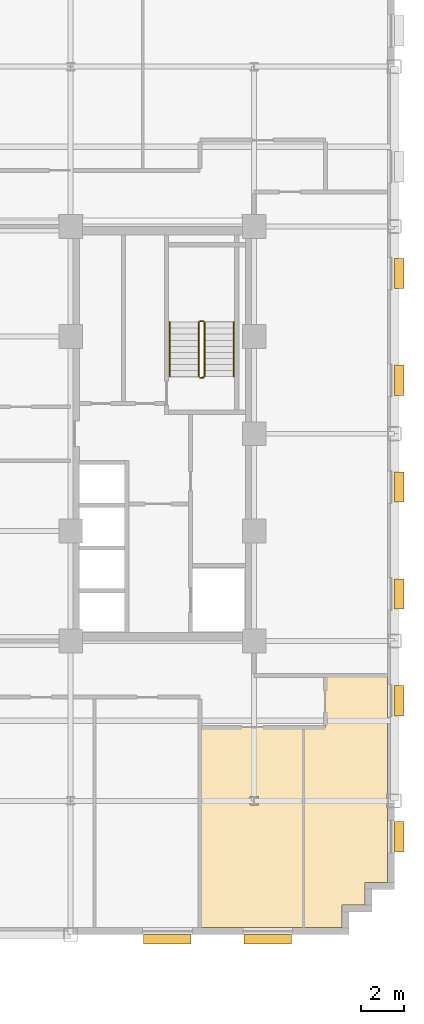
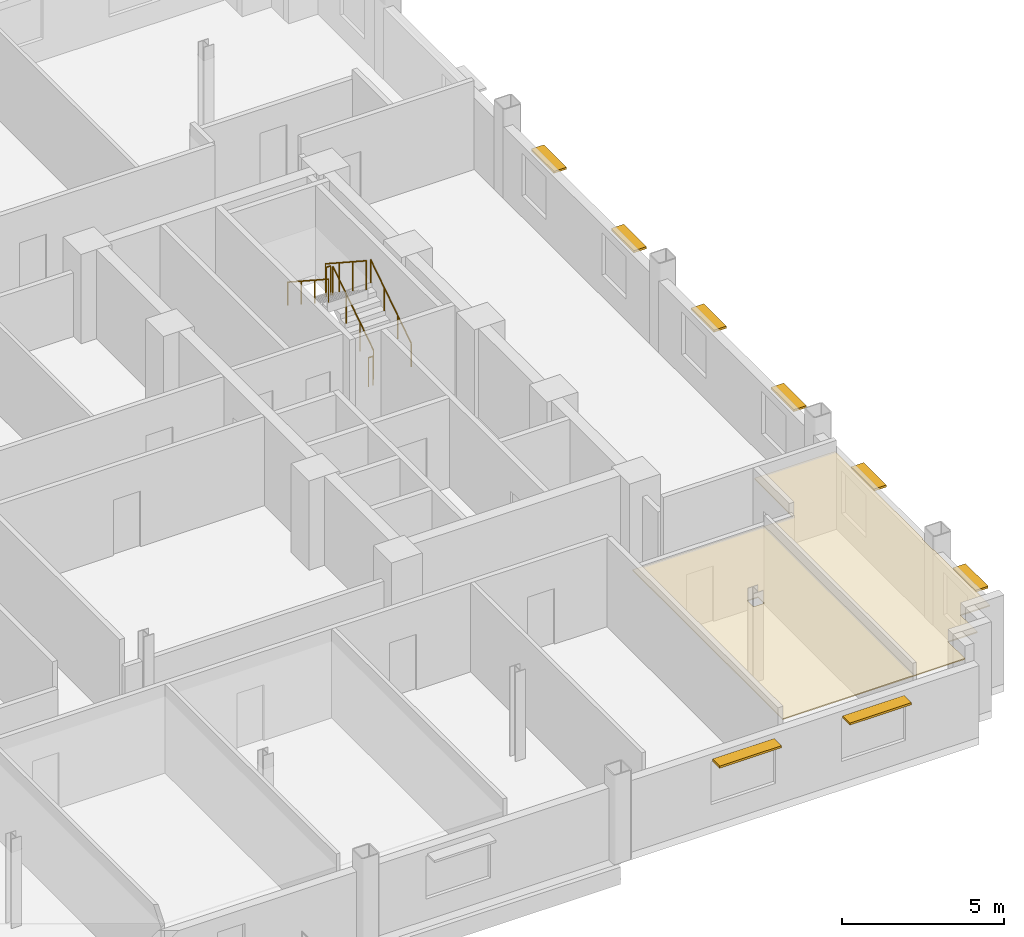
# One storey, part 13 of 14: 8 shading devices, 6 railings, 2 coverings.
"""IFC4 building model written with IfcOpenShell, lengths in metres."""

from ifc_helpers import new_model, si_unit, direction, frame, origin, origin_2d, place, context, subcontext, project, spatial, polyline, rectangle, circle, outline, extrude, source, transform, mapped, material, layer, layer_set, type_object, type_shapes, element, save


model = new_model("IFC4")

# Units and contexts
model_context = context("Model", 3, precision=1e-05, world=origin(), true_north=direction((0.0, 1.0)))
body_context = subcontext(model_context, "Body", "Model", "MODEL_VIEW")
ifc_project = project(units=[si_unit("LENGTHUNIT", "METRE"), si_unit("AREAUNIT", "SQUARE_METRE"), si_unit("VOLUMEUNIT", "CUBIC_METRE"), si_unit("PLANEANGLEUNIT", "RADIAN"), si_unit("MASSUNIT", "GRAM", prefix="KILO")], contexts=[model_context])

# Site, building, storey
site_placement = place(None, origin())
site = spatial("IfcSite", under=ifc_project, at=site_placement, CompositionType="ELEMENT")
building_placement = place(site_placement, origin())
building = spatial("IfcBuilding", under=site, at=building_placement, Name="Nuvemarco Arch Tower", CompositionType="ELEMENT")
storey_placement = place(building_placement, frame((0.0, 0.0, 101.949951171875)))
storey = spatial("IfcBuildingStorey", under=building, at=storey_placement, Name="L26", CompositionType="ELEMENT", Elevation=101.949951171875)

# Coverings
ifc_material_1 = material(Name="Mineral acoustic ceiling tile")
ifc_layer = layer(ifc_material_1, 0.0400390625, Name="COV-ACOUSTIC-CLG")
ifc_layer_set = layer_set([ifc_layer], Name="Mineral acoustic ceiling tile")
covering_type = type_object("IfcCoveringType", Name="COV-ACOUSTIC-CLG", PredefinedType="CEILING", material=ifc_layer_set)
covering_1_placement = place(storey_placement, frame((0.0, 0.0, 2.85009765625)))
element("IfcCovering", 1, at=covering_1_placement, inside=storey, type_object=covering_type, Name="L26 suspended acoustic ceiling 8", PredefinedType="CEILING", context=body_context, shape_type="SweptSolid", body=[
    extrude(outline(polyline([(15.070068359375, -22.8798828125), (15.070068359375, -13.60009765625), (19.780029296875, -13.60009765625), (19.780029296875, -22.8798828125), (15.070068359375, -22.8798828125)]), holes=[polyline([(17.695068359375, -17.195068359375), (17.695068359375, -16.804931640625), (17.304931640625, -16.804931640625), (17.304931640625, -17.195068359375), (17.695068359375, -17.195068359375)])]), origin(), (0.0, 0.0, 1.0), 0.0400390625),
])
covering_2_placement = place(storey_placement, frame((0.0, 0.0, 2.85009765625)))
element("IfcCovering", 2, at=covering_2_placement, inside=storey, type_object=covering_type, Name="L26 suspended acoustic ceiling 9", PredefinedType="CEILING", context=body_context, shape_type="SweptSolid", body=[
    extrude(outline(polyline([(21.580078125, -22.8798828125), (19.780029296875, -22.8798828125), (19.780029296875, -13.60009765625), (20.800048828125, -13.60009765625), (20.800048828125, -11.199951171875), (23.679931640625, -11.199951171875), (23.679931640625, -16.659912109375), (23.659912109375, -16.659912109375), (23.659912109375, -17.340087890625), (23.679931640625, -17.340087890625), (23.679931640625, -20.780029296875), (22.6298828125, -20.780029296875), (22.6298828125, -21.830078125), (21.580078125, -21.830078125), (21.580078125, -22.8798828125)])), origin(), (0.0, 0.0, 1.0), 0.0400390625),
])

# Railings
ifc_material_2 = material(Name="Brushed stainless steel handrail", Category="steel")
railing_type_1 = type_object("IfcRailingType", Name="RL-HANDRAIL-900", PredefinedType="HANDRAIL", material=ifc_material_2)
railing_1_placement = place(storey_placement, frame((16.550048828125, 2.64990234375, 0.1826171875)))
element("IfcRailing", 3, at=railing_1_placement, inside=storey, type_object=railing_type_1, Name="L26 ST-2 stair handrail 1", PredefinedType="HANDRAIL", context=body_context, shape_type="SweptSolid", body=[
    extrude(circle(Radius=0.02392578125, at=origin_2d()), frame((0.0, 0.0, 0.8759765625), z_axis=(0.0, 0.837786554691, 0.545997883492), x_axis=(-1.0, 0.0, 0.0)), (0.0, 0.0, 1.0), 3.008056640625),
    extrude(circle(Radius=0.02099609375, at=origin_2d()), origin(), (0.0, 0.0, 1.0), 0.851806640625),
    extrude(circle(Radius=0.02099609375, at=origin_2d()), frame((0.0, 0.840087890625, 0.54736328125)), (0.0, 0.0, 1.0), 0.851806640625),
    extrude(circle(Radius=0.02099609375, at=origin_2d()), frame((0.0, 1.679931640625, 1.094970703125)), (0.0, 0.0, 1.0), 0.851806640625),
    extrude(circle(Radius=0.02099609375, at=origin_2d()), frame((0.0, 2.52001953125, 1.642333984375)), (0.0, 0.0, 1.0), 0.851806640625),
])
railing_2_placement = place(storey_placement, frame((13.590087890625, 5.169921875, 2.007568359375)))
element("IfcRailing", 4, at=railing_2_placement, inside=storey, type_object=railing_type_1, Name="L26 ST-2 stair handrail 2", PredefinedType="HANDRAIL", context=body_context, shape_type="SweptSolid", body=[
    extrude(circle(Radius=0.02392578125, at=origin_2d()), frame((0.0, 0.0, 0.8759765625), z_axis=(0.0, -0.837749427056, 0.546054848405), x_axis=(1.0, 0.0, 0.0)), (0.0, 0.0, 1.0), 3.008056640625),
    extrude(circle(Radius=0.02099609375, at=origin_2d()), origin(), (0.0, 0.0, 1.0), 0.851806640625),
    extrude(circle(Radius=0.02099609375, at=origin_2d()), frame((0.0, -0.840087890625, 0.547607421875)), (0.0, 0.0, 1.0), 0.851806640625),
    extrude(circle(Radius=0.02099609375, at=origin_2d()), frame((0.0, -1.679931640625, 1.094970703125)), (0.0, 0.0, 1.0), 0.851806640625),
    extrude(circle(Radius=0.02099609375, at=origin_2d()), frame((0.0, -2.52001953125, 1.642578125)), (0.0, 0.0, 1.0), 0.851806640625),
])
ifc_material_3 = material(Name="Painted balustrade steel S355", Category="steel")
railing_type_2 = type_object("IfcRailingType", Name="RL-STAIR-GUARD", PredefinedType="GUARDRAIL", material=ifc_material_3)
railing_3_placement = place(storey_placement, frame((15.199951171875, 2.64990234375, 0.1826171875)))
element("IfcRailing", 5, at=railing_3_placement, inside=storey, type_object=railing_type_2, Name="L26 ST-2 stair guard 1", PredefinedType="GUARDRAIL", context=body_context, shape_type="SweptSolid", body=[
    extrude(circle(Radius=0.02392578125, at=origin_2d()), frame((0.0, 0.0, 1.09619140625), z_axis=(0.0, 0.837786554691, 0.545997883492), x_axis=(-1.0, 0.0, 0.0)), (0.0, 0.0, 1.0), 3.008056640625),
    extrude(circle(Radius=0.02099609375, at=origin_2d()), origin(), (0.0, 0.0, 1.0), 1.072021484375),
    extrude(circle(Radius=0.02099609375, at=origin_2d()), frame((0.0, 0.840087890625, 0.54736328125)), (0.0, 0.0, 1.0), 1.072021484375),
    extrude(circle(Radius=0.02099609375, at=origin_2d()), frame((0.0, 1.679931640625, 1.094970703125)), (0.0, 0.0, 1.0), 1.072021484375),
    extrude(circle(Radius=0.02099609375, at=origin_2d()), frame((0.0, 2.52001953125, 1.642333984375)), (0.0, 0.0, 1.0), 1.072021484375),
])
railing_4_placement = place(storey_placement, frame((15.14990234375, 5.219970703125, 1.824951171875)))
element("IfcRailing", 6, at=railing_4_placement, inside=storey, type_object=railing_type_2, Name="L26 ST-2 stair guard 2", PredefinedType="GUARDRAIL", context=body_context, shape_type="SweptSolid", body=[
    extrude(circle(Radius=0.02392578125, at=origin_2d()), frame((0.0, 0.0, 1.09619140625), z_axis=(-1.0, 0.0, 0.0), x_axis=(0.0, -1.0, 0.0)), (0.0, 0.0, 1.0), 0.159912109375),
    extrude(circle(Radius=0.02099609375, at=origin_2d()), origin(), (0.0, 0.0, 1.0), 1.072021484375),
    extrude(circle(Radius=0.02099609375, at=origin_2d()), frame((-0.159912109375, 0.0, 0.0)), (0.0, 0.0, 1.0), 1.072021484375),
])
railing_5_placement = place(storey_placement, frame((14.93994140625, 5.169921875, 2.007568359375)))
element("IfcRailing", 7, at=railing_5_placement, inside=storey, type_object=railing_type_2, Name="L26 ST-2 stair guard 3", PredefinedType="GUARDRAIL", context=body_context, shape_type="SweptSolid", body=[
    extrude(circle(Radius=0.02392578125, at=origin_2d()), frame((0.0, 0.0, 1.09619140625), z_axis=(0.0, -0.837749427056, 0.546054848405), x_axis=(1.0, 0.0, 0.0)), (0.0, 0.0, 1.0), 3.008056640625),
    extrude(circle(Radius=0.02099609375, at=origin_2d()), origin(), (0.0, 0.0, 1.0), 1.072021484375),
    extrude(circle(Radius=0.02099609375, at=origin_2d()), frame((0.0, -0.840087890625, 0.547607421875)), (0.0, 0.0, 1.0), 1.072021484375),
    extrude(circle(Radius=0.02099609375, at=origin_2d()), frame((0.0, -1.679931640625, 1.094970703125)), (0.0, 0.0, 1.0), 1.072021484375),
    extrude(circle(Radius=0.02099609375, at=origin_2d()), frame((0.0, -2.52001953125, 1.642578125)), (0.0, 0.0, 1.0), 1.072021484375),
])
railing_6_placement = place(storey_placement, frame((15.14990234375, 2.60009765625, 0.0)))
element("IfcRailing", 8, at=railing_6_placement, inside=storey, type_object=railing_type_2, Name="L26 ST-2 stair guard 4", PredefinedType="GUARDRAIL", context=body_context, shape_type="SweptSolid", body=[
    extrude(circle(Radius=0.02392578125, at=origin_2d()), frame((0.0, 0.0, 1.09619140625), z_axis=(-1.0, 0.0, 0.0), x_axis=(0.0, -1.0, 0.0)), (0.0, 0.0, 1.0), 0.159912109375),
    extrude(circle(Radius=0.02099609375, at=origin_2d()), origin(), (0.0, 0.0, 1.0), 1.072021484375),
    extrude(circle(Radius=0.02099609375, at=origin_2d()), frame((-0.159912109375, 0.0, 0.0)), (0.0, 0.0, 1.0), 1.072021484375),
])

# Shading devices
ifc_material_4 = material(Name="Anodised aluminium 6063-T6", Category="aluminium")
shading_device_type_1 = type_object("IfcShadingDeviceType", Name="SHD-BRISE-SOLEIL", PredefinedType="USERDEFINED", material=ifc_material_4)
shared_shape_1 = source(origin(), body_context, "Body", "SweptSolid", [
    extrude(rectangle(XDim=2.199951171875, YDim=0.449951171875, at=origin_2d()), origin(), (0.0, 0.0, 1.0), 0.080078125),
])
type_shapes(shading_device_type_1, [shared_shape_1])
for number, where, z_axis, x_axis, name in (
    (9, (13.4833984375, -23.4150390625, 2.425048828125), (0.0, 0.0, 1.0), (1.0, 0.0, 0.0), "L26 horizontal brise-soleil sunshade"),
    (10, (18.127685546875, -23.4150390625, 2.425048828125), (0.0, 0.0, 1.0), (1.0, 0.0, 0.0), "L26 horizontal brise-soleil sunshade"),
):
    element("IfcShadingDevice", number, at=place(storey_placement, frame(where, z_axis=z_axis, x_axis=x_axis)), inside=storey, type_object=shading_device_type_1, Name=name, ObjectType="SUNSHADE", PredefinedType="USERDEFINED", context=body_context, shape_type="MappedRepresentation", body=[
        mapped(shared_shape_1, transform((0.0, 0.0, 0.0), scale=1.0)),
    ])
shading_device_type_2 = type_object("IfcShadingDeviceType", Name="SHD-BRISE-NARROW", PredefinedType="USERDEFINED", material=ifc_material_4)
shared_shape_2 = source(origin(), body_context, "Body", "SweptSolid", [
    extrude(rectangle(XDim=1.39990234375, YDim=0.449951171875, at=origin_2d()), origin(), (0.0, 0.0, 1.0), 0.080078125),
])
type_shapes(shading_device_type_2, [shared_shape_2])
for number, where, z_axis, x_axis, name in (
    (11, (24.215087890625, -18.660888671875, 2.405029296875), (0.0, 0.0, 1.0), (0.0, 1.0, 0.0), "L26 horizontal brise-soleil sunshade"),
    (12, (24.215087890625, -12.364990234375, 2.405029296875), (0.0, 0.0, 1.0), (0.0, 1.0, 0.0), "L26 horizontal brise-soleil sunshade"),
    (13, (24.215087890625, -7.4189453125, 2.405029296875), (0.0, 0.0, 1.0), (0.0, 1.0, 0.0), "L26 horizontal brise-soleil sunshade"),
    (14, (24.215087890625, -2.472900390625, 2.405029296875), (0.0, 0.0, 1.0), (0.0, 1.0, 0.0), "L26 horizontal brise-soleil sunshade"),
    (15, (24.215087890625, 2.472900390625, 2.405029296875), (0.0, 0.0, 1.0), (0.0, 1.0, 0.0), "L26 horizontal brise-soleil sunshade"),
    (16, (24.215087890625, 7.4189453125, 2.405029296875), (0.0, 0.0, 1.0), (0.0, 1.0, 0.0), "L26 horizontal brise-soleil sunshade"),
):
    element("IfcShadingDevice", number, at=place(storey_placement, frame(where, z_axis=z_axis, x_axis=x_axis)), inside=storey, type_object=shading_device_type_2, Name=name, ObjectType="SUNSHADE", PredefinedType="USERDEFINED", context=body_context, shape_type="MappedRepresentation", body=[
        mapped(shared_shape_2, transform((0.0, 0.0, 0.0), scale=1.0)),
    ])

save(model, "model.ifc")
